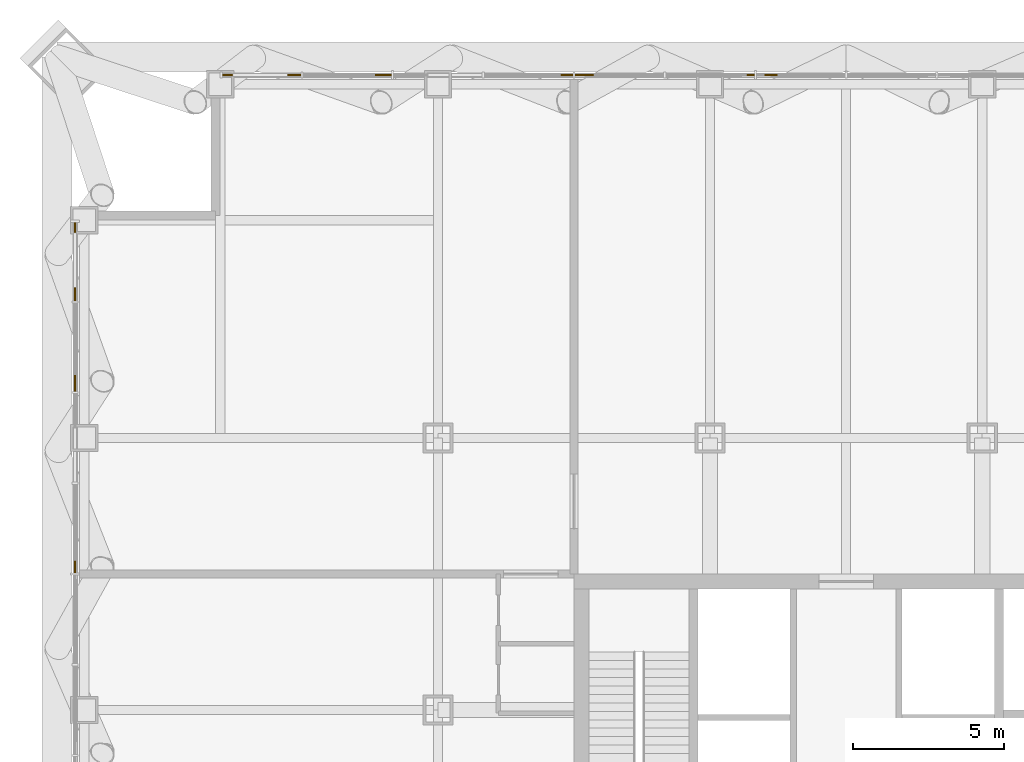
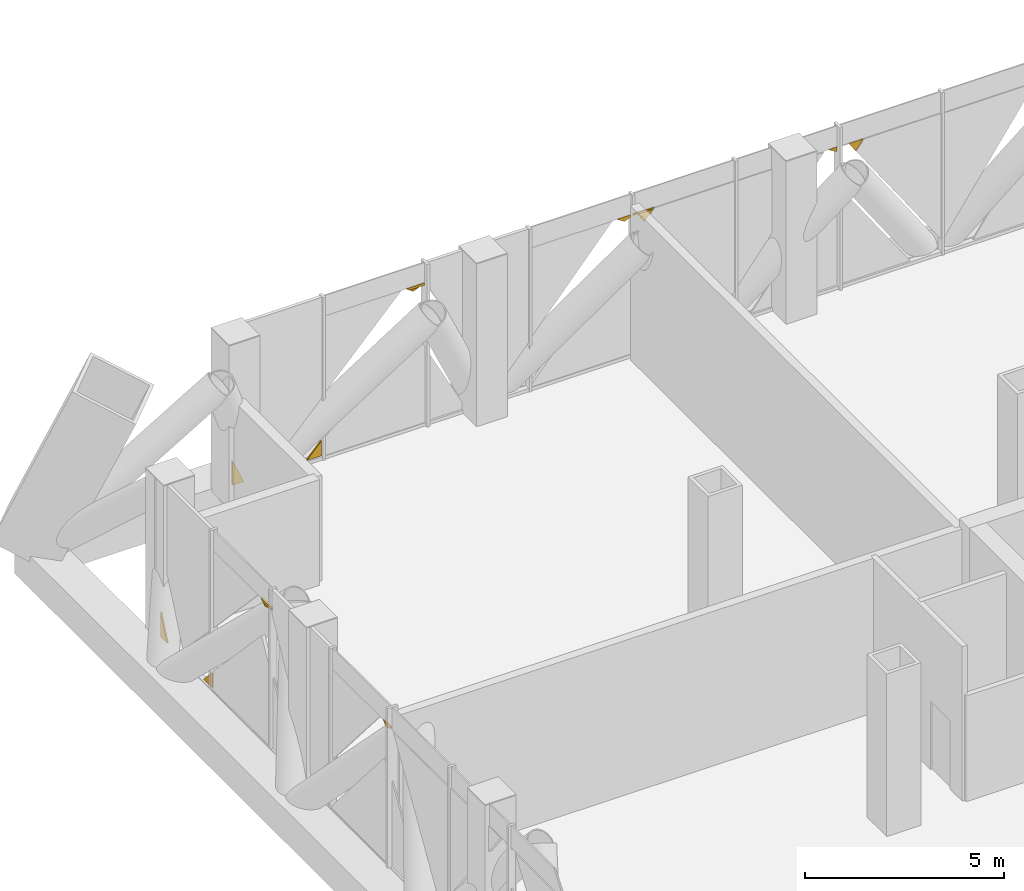
# One storey, part 23 of 26: 14 coverings.
"""IFC4 building model written with IfcOpenShell, lengths in metres."""

from ifc_helpers import new_model, si_unit, direction, frame, origin, place, context, subcontext, project, spatial, polyline, outline, extrude, material, layer, layer_set, type_object, element, save


model = new_model("IFC4")

# Units and contexts
model_context = context("Model", 3, precision=1e-05, world=origin(), true_north=direction((0.0, 1.0)))
body_context = subcontext(model_context, "Body", "Model", "MODEL_VIEW")
ifc_project = project(units=[si_unit("LENGTHUNIT", "METRE"), si_unit("AREAUNIT", "SQUARE_METRE"), si_unit("VOLUMEUNIT", "CUBIC_METRE"), si_unit("PLANEANGLEUNIT", "RADIAN"), si_unit("MASSUNIT", "GRAM", prefix="KILO")], contexts=[model_context])

# Site, building, storey
site_placement = place(None, origin())
site = spatial("IfcSite", under=ifc_project, at=site_placement, CompositionType="ELEMENT")
building_placement = place(site_placement, origin())
building = spatial("IfcBuilding", under=site, at=building_placement, Name="Malebo Sky Hospital", CompositionType="ELEMENT")
storey_placement = place(building_placement, frame((0.0, 0.0, 95.0)))
storey = spatial("IfcBuildingStorey", under=building, at=storey_placement, Name="L22", CompositionType="ELEMENT", Elevation=95.0)

# Coverings
ifc_material = material(Name="Anodised aluminium, natural silver insulated infill panel", Category="aluminium")
ifc_layer = layer(ifc_material, 0.0400390625)
ifc_layer_set = layer_set([ifc_layer], Name="BRACE INFILL PANEL 40")
covering_type = type_object("IfcCoveringType", Name="BRACE INFILL PANEL 40", PredefinedType="CLADDING", material=ifc_layer_set)
covering_1_placement = place(storey_placement, frame((39.541259765625, 87.5, 0.10009765625), z_axis=(0.0, 0.0, 1.0), x_axis=(1.0, 0.0, 0.0)))
element("IfcCovering", 1, at=covering_1_placement, inside=storey, type_object=covering_type, Name="Brace infill panel 1.1", PredefinedType="CLADDING", context=body_context, shape_type="SweptSolid", body=[
    extrude(outline(polyline([(-0.166015625, 0.0), (0.166259765625, 0.0), (-0.166015625, 0.75830078125), (-0.166015625, 0.0)])), frame((0.0, 0.02001953125, 0.0), z_axis=(0.0, -1.0, 0.0), x_axis=(1.0, 0.0, 0.0)), (0.0, 0.0, 1.0), 0.0400390625),
])
covering_2_placement = place(storey_placement, frame((41.746337890625, 87.5, 0.10009765625), z_axis=(0.0, 0.0, 1.0), x_axis=(1.0, 0.0, 0.0)))
element("IfcCovering", 2, at=covering_2_placement, inside=storey, type_object=covering_type, Name="Brace infill panel 1.2", PredefinedType="CLADDING", context=body_context, shape_type="SweptSolid", body=[
    extrude(outline(polyline([(-0.2158203125, 0.0), (0.216064453125, 0.0), (0.216064453125, 0.457763671875), (-0.2158203125, 0.0)])), frame((0.0, 0.02001953125, 0.0), z_axis=(0.0, -1.0, 0.0), x_axis=(1.0, 0.0, 0.0)), (0.0, 0.0, 1.0), 0.0400390625),
])
covering_3_placement = place(storey_placement, frame((44.670654296875, 87.5, 4.21240234375), z_axis=(0.0, 0.0, 1.0), x_axis=(1.0, 0.0, 0.0)))
element("IfcCovering", 3, at=covering_3_placement, inside=storey, type_object=covering_type, Name="Brace infill panel 2.3", PredefinedType="CLADDING", context=body_context, shape_type="SweptSolid", body=[
    extrude(outline(polyline([(-0.03759765625, 0.0), (0.14794921875, 0.077880859375), (-0.14794921875, 0.077880859375), (-0.03759765625, 0.0)])), frame((0.0, 0.02001953125, 0.0), z_axis=(0.0, -1.0, 0.0), x_axis=(1.0, 0.0, 0.0)), (0.0, 0.0, 1.0), 0.0400390625),
])
covering_4_placement = place(storey_placement, frame((44.69091796875, 87.5, 4.2900390625), z_axis=(0.0, 0.0, 1.0), x_axis=(1.0, 0.0, 0.0)))
element("IfcCovering", 4, at=covering_4_placement, inside=storey, type_object=covering_type, Name="Brace infill panel 2.4", PredefinedType="CLADDING", context=body_context, shape_type="SweptSolid", body=[
    extrude(outline(polyline([(-0.168212890625, 0.0), (0.271484375, 0.0), (0.271484375, 0.072998046875), (-0.271484375, 0.072998046875), (-0.168212890625, 0.0)])), frame((0.0, 0.02001953125, 0.0), z_axis=(0.0, -1.0, 0.0), x_axis=(1.0, 0.0, 0.0)), (0.0, 0.0, 1.0), 0.0400390625),
])
covering_5_placement = place(storey_placement, frame((50.76416015625, 87.5, 4.212890625), z_axis=(0.0, 0.0, 1.0), x_axis=(1.0, 0.0, 0.0)))
element("IfcCovering", 5, at=covering_5_placement, inside=storey, type_object=covering_type, Name="Brace infill panel 4.3", PredefinedType="CLADDING", context=body_context, shape_type="SweptSolid", body=[
    extrude(outline(polyline([(0.015625, 0.0), (0.1982421875, 0.08642578125), (0.1982421875, 0.138427734375), (-0.1982421875, 0.138427734375), (0.015625, 0.0)])), frame((0.0, 0.02001953125, 0.0), z_axis=(0.0, -1.0, 0.0), x_axis=(1.0, 0.0, 0.0)), (0.0, 0.0, 1.0), 0.0400390625),
])
covering_6_placement = place(storey_placement, frame((51.384521484375, 87.5, 4.005126953125), z_axis=(0.0, 0.0, 1.0), x_axis=(1.0, 0.0, 0.0)))
element("IfcCovering", 6, at=covering_6_placement, inside=storey, type_object=covering_type, Name="Brace infill panel 5.2", PredefinedType="CLADDING", context=body_context, shape_type="SweptSolid", body=[
    extrude(outline(polyline([(-0.0380859375, 0.0), (0.2216796875, 0.30224609375), (-0.2216796875, 0.30224609375), (-0.0380859375, 0.0)])), frame((0.0, 0.02001953125, 0.0), z_axis=(0.0, -1.0, 0.0), x_axis=(1.0, 0.0, 0.0)), (0.0, 0.0, 1.0), 0.0400390625),
])
covering_7_placement = place(storey_placement, frame((51.3408203125, 87.5, 4.307373046875), z_axis=(0.0, 0.0, 1.0), x_axis=(1.0, 0.0, 0.0)))
element("IfcCovering", 7, at=covering_7_placement, inside=storey, type_object=covering_type, Name="Brace infill panel 5.4", PredefinedType="CLADDING", context=body_context, shape_type="SweptSolid", body=[
    extrude(outline(polyline([(-0.30322265625, 0.0), (0.265380859375, 0.0), (0.30322265625, 0.0439453125), (-0.30322265625, 0.0439453125), (-0.30322265625, 0.0)])), frame((0.0, 0.02001953125, 0.0), z_axis=(0.0, -1.0, 0.0), x_axis=(1.0, 0.0, 0.0)), (0.0, 0.0, 1.0), 0.0400390625),
])
covering_8_placement = place(storey_placement, frame((56.83837890625, 87.5, 4.21337890625), z_axis=(0.0, 0.0, 1.0), x_axis=(1.0, 0.0, 0.0)))
element("IfcCovering", 8, at=covering_8_placement, inside=storey, type_object=covering_type, Name="Brace infill panel 6.3", PredefinedType="CLADDING", context=body_context, shape_type="SweptSolid", body=[
    extrude(outline(polyline([(0.08837890625, 0.0), (0.1240234375, 0.018798828125), (0.1240234375, 0.124755859375), (-0.1240234375, 0.124755859375), (0.08837890625, 0.0)])), frame((0.0, 0.02001953125, 0.0), z_axis=(0.0, -1.0, 0.0), x_axis=(1.0, 0.0, 0.0)), (0.0, 0.0, 1.0), 0.0400390625),
])
covering_9_placement = place(storey_placement, frame((57.51318359375, 87.5, 4.03515625), z_axis=(0.0, 0.0, 1.0), x_axis=(1.0, 0.0, 0.0)))
element("IfcCovering", 9, at=covering_9_placement, inside=storey, type_object=covering_type, Name="Brace infill panel 7.3", PredefinedType="CLADDING", context=body_context, shape_type="SweptSolid", body=[
    extrude(outline(polyline([(-0.01220703125, 0.0), (0.211181640625, 0.2880859375), (-0.211181640625, 0.2880859375), (-0.01220703125, 0.0)])), frame((0.0, 0.02001953125, 0.0), z_axis=(0.0, -1.0, 0.0), x_axis=(1.0, 0.0, 0.0)), (0.0, 0.0, 1.0), 0.0400390625),
])
covering_10_placement = place(storey_placement, frame((34.5, 71.23583984375, 4.212890625), z_axis=(0.0, 0.0, 1.0), x_axis=(0.0, 1.0, 0.0)))
element("IfcCovering", 10, at=covering_10_placement, inside=storey, type_object=covering_type, Name="Brace infill panel 11.3", PredefinedType="CLADDING", context=body_context, shape_type="SweptSolid", body=[
    extrude(outline(polyline([(-0.015625, 0.0), (0.1982421875, 0.138427734375), (-0.1982421875, 0.138427734375), (-0.1982421875, 0.08642578125), (-0.015625, 0.0)])), frame((0.0, 0.02001953125, 0.0), z_axis=(0.0, -1.0, 0.0), x_axis=(1.0, 0.0, 0.0)), (0.0, 0.0, 1.0), 0.0400390625),
])
covering_11_placement = place(storey_placement, frame((34.5, 77.329345703125, 4.21240234375), z_axis=(0.0, 0.0, 1.0), x_axis=(0.0, 1.0, 0.0)))
element("IfcCovering", 11, at=covering_11_placement, inside=storey, type_object=covering_type, Name="Brace infill panel 13.3", PredefinedType="CLADDING", context=body_context, shape_type="SweptSolid", body=[
    extrude(outline(polyline([(0.03759765625, 0.0), (0.14794921875, 0.077880859375), (-0.14794921875, 0.077880859375), (0.03759765625, 0.0)])), frame((0.0, 0.02001953125, 0.0), z_axis=(0.0, -1.0, 0.0), x_axis=(1.0, 0.0, 0.0)), (0.0, 0.0, 1.0), 0.0400390625),
])
covering_12_placement = place(storey_placement, frame((34.5, 77.30908203125, 4.2900390625), z_axis=(0.0, 0.0, 1.0), x_axis=(0.0, 1.0, 0.0)))
element("IfcCovering", 12, at=covering_12_placement, inside=storey, type_object=covering_type, Name="Brace infill panel 13.4", PredefinedType="CLADDING", context=body_context, shape_type="SweptSolid", body=[
    extrude(outline(polyline([(-0.271484375, 0.0), (0.168212890625, 0.0), (0.271484375, 0.072998046875), (-0.271484375, 0.072998046875), (-0.271484375, 0.0)])), frame((0.0, 0.02001953125, 0.0), z_axis=(0.0, -1.0, 0.0), x_axis=(1.0, 0.0, 0.0)), (0.0, 0.0, 1.0), 0.0400390625),
])
covering_13_placement = place(storey_placement, frame((34.5, 80.253662109375, 0.10009765625), z_axis=(0.0, 0.0, 1.0), x_axis=(0.0, 1.0, 0.0)))
element("IfcCovering", 13, at=covering_13_placement, inside=storey, type_object=covering_type, Name="Brace infill panel 14.1", PredefinedType="CLADDING", context=body_context, shape_type="SweptSolid", body=[
    extrude(outline(polyline([(-0.216064453125, 0.0), (0.2158203125, 0.0), (-0.216064453125, 0.457763671875), (-0.216064453125, 0.0)])), frame((0.0, 0.02001953125, 0.0), z_axis=(0.0, -1.0, 0.0), x_axis=(1.0, 0.0, 0.0)), (0.0, 0.0, 1.0), 0.0400390625),
])
covering_14_placement = place(storey_placement, frame((34.5, 82.458740234375, 0.10009765625), z_axis=(0.0, 0.0, 1.0), x_axis=(0.0, 1.0, 0.0)))
element("IfcCovering", 14, at=covering_14_placement, inside=storey, type_object=covering_type, Name="Brace infill panel 14.2", PredefinedType="CLADDING", context=body_context, shape_type="SweptSolid", body=[
    extrude(outline(polyline([(-0.166259765625, 0.0), (0.166015625, 0.0), (0.166015625, 0.75830078125), (-0.166259765625, 0.0)])), frame((0.0, 0.02001953125, 0.0), z_axis=(0.0, -1.0, 0.0), x_axis=(1.0, 0.0, 0.0)), (0.0, 0.0, 1.0), 0.0400390625),
])

save(model, "model.ifc")
